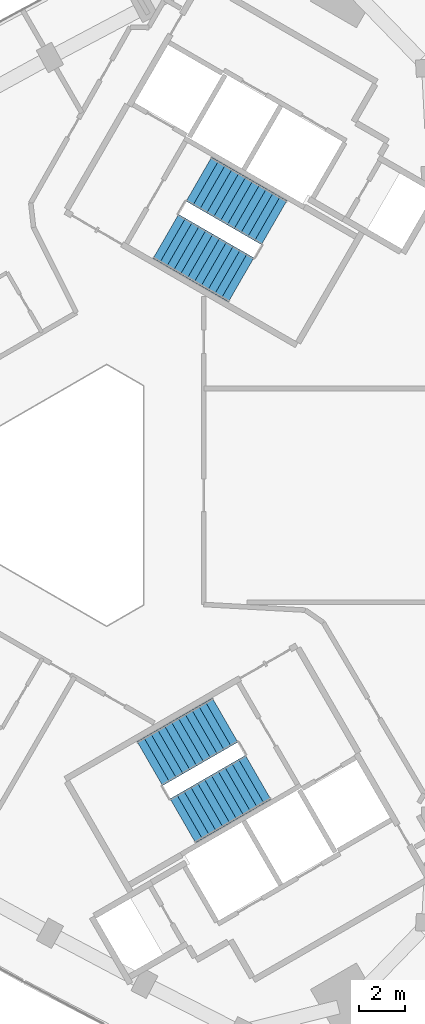
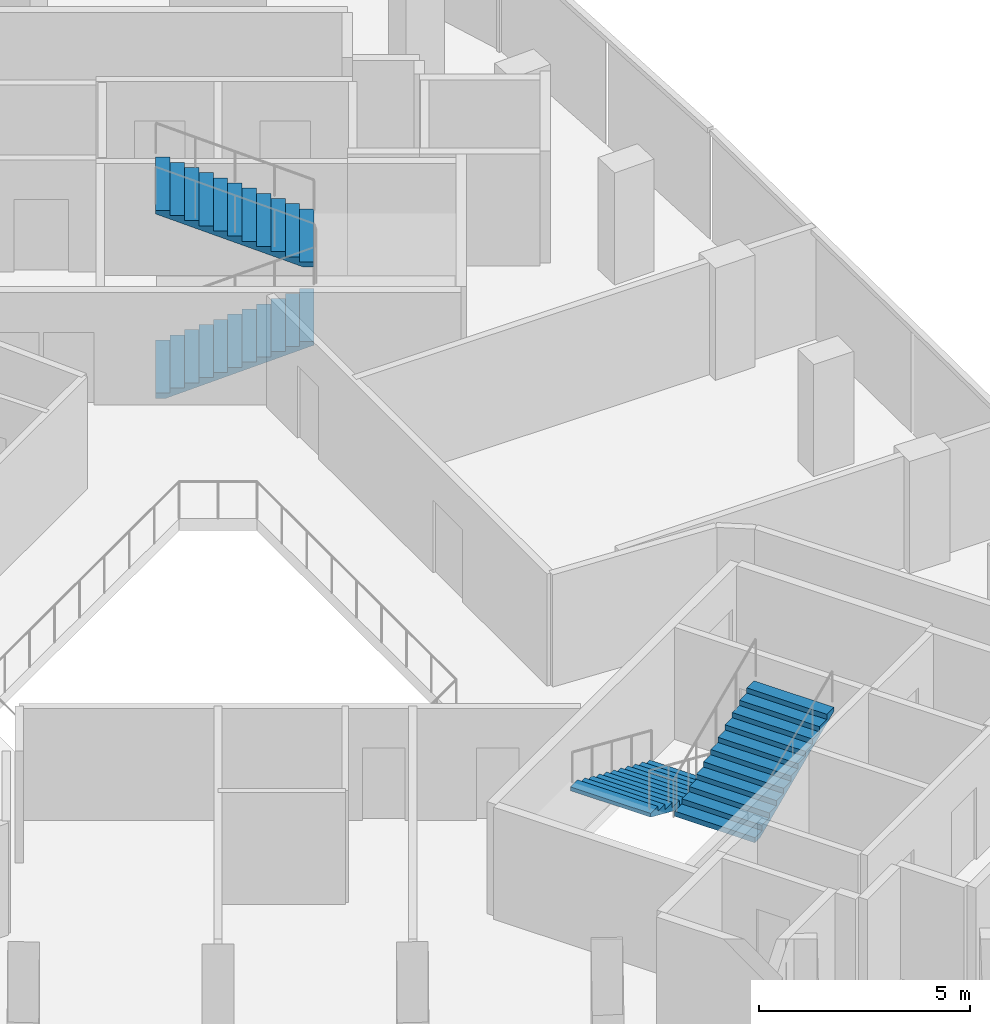
# One storey, part 10 of 11: 4 stair flights, 2 elements without a shape of their own.
"""IFC4 building model written with IfcOpenShell, lengths in metres."""

from ifc_helpers import new_model, si_unit, direction, frame, origin, place, context, subcontext, project, spatial, polyline, outline, extrude, material, type_object, element, aggregate, save


model = new_model("IFC4")

# Units and contexts
model_context = context("Model", 3, precision=1e-05, world=origin(), true_north=direction((0.0, 1.0)))
body_context = subcontext(model_context, "Body", "Model", "MODEL_VIEW")
ifc_project = project(units=[si_unit("LENGTHUNIT", "METRE"), si_unit("AREAUNIT", "SQUARE_METRE"), si_unit("VOLUMEUNIT", "CUBIC_METRE"), si_unit("PLANEANGLEUNIT", "RADIAN"), si_unit("MASSUNIT", "GRAM", prefix="KILO")], contexts=[model_context])

# Site, building, storey
site_placement = place(None, origin())
site = spatial("IfcSite", under=ifc_project, at=site_placement, CompositionType="ELEMENT")
building_placement = place(site_placement, origin())
building = spatial("IfcBuilding", under=site, at=building_placement, Name="Tamra Quay Hotel Tower", CompositionType="ELEMENT")
storey_placement = place(building_placement, frame((0.0, 0.0, 246.60009765625)))
storey = spatial("IfcBuildingStorey", under=building, at=storey_placement, Name="L62", CompositionType="ELEMENT", Elevation=246.60009765625)

# Stair, stair flights
ifc_material_1 = material(Name="Exit stair 2200 24 risers 150.0 going 342")
stair_type = type_object("IfcStairType", Name="Exit stair 2200 24 risers 150.0 going 342", PredefinedType="HALF_TURN_STAIR", material=ifc_material_1)
stair_1_placement = place(storey_placement, origin())
stair_1 = element("IfcStair", 1, at=stair_1_placement, inside=storey, type_object=stair_type, Name="L62 Exit stair ST1", PredefinedType="HALF_TURN_STAIR")
ifc_material_2 = material(Name="Exit stair flight 2200 12 risers 150.0")
stair_flight_type = type_object("IfcStairFlightType", Name="Exit stair flight 2200 12 risers 150.0", PredefinedType="STRAIGHT", material=ifc_material_2)
stair_flight_1_placement = place(storey_placement, frame((4.75927734375, 11.20361328125, 0.0), z_axis=(0.0, 0.0, 1.0), x_axis=(0.866025403784, -0.5, 0.0)))
stair_flight_1 = element("IfcStairFlight", 2, at=stair_flight_1_placement, type_object=stair_flight_type, Name="ST1 flight 1", NumberOfRisers=12, NumberOfTreads=11, PredefinedType="STRAIGHT", RiserHeight=0.15, TreadLength=0.342, context=body_context, shape_type="SweptSolid", body=[
    extrude(outline(polyline([(0.0, 0.0), (0.0, 0.14990234375), (0.342041015625, 0.14990234375), (0.342041015625, 0.300048828125), (0.68408203125, 0.300048828125), (0.68408203125, 0.449951171875), (1.02587890625, 0.449951171875), (1.02587890625, 0.60009765625), (1.367919921875, 0.60009765625), (1.367919921875, 0.75), (1.7099609375, 0.75), (1.7099609375, 0.89990234375), (2.052001953125, 0.89990234375), (2.052001953125, 1.050048828125), (2.39404296875, 1.050048828125), (2.39404296875, 1.199951171875), (2.736083984375, 1.199951171875), (2.736083984375, 1.35009765625), (3.077880859375, 1.35009765625), (3.077880859375, 1.5), (3.419921875, 1.5), (3.419921875, 1.64990234375), (3.761962890625, 1.64990234375), (3.761962890625, 1.800048828125), (3.761962890625, 1.540771484375), (0.249267578125, 0.0), (0.0, 0.0)])), frame((0.0, 1.10009765625, 0.0), z_axis=(0.0, -1.0, 0.0), x_axis=(1.0, 0.0, 0.0)), (0.0, 0.0, 1.0), 2.199951171875),
])
stair_flight_2_placement = place(storey_placement, frame((9.44677734375, 11.798583984375, 1.7998046875), z_axis=(0.0, 0.0, 1.0), x_axis=(-0.866025403784, 0.5, 0.0)))
stair_flight_2 = element("IfcStairFlight", 3, at=stair_flight_2_placement, type_object=stair_flight_type, Name="ST1 flight 2", NumberOfRisers=12, NumberOfTreads=11, PredefinedType="STRAIGHT", RiserHeight=0.15, TreadLength=0.342, context=body_context, shape_type="SweptSolid", body=[
    extrude(outline(polyline([(0.0, 0.0), (0.0, 0.14990234375), (0.342041015625, 0.14990234375), (0.342041015625, 0.300048828125), (0.68408203125, 0.300048828125), (0.68408203125, 0.449951171875), (1.02587890625, 0.449951171875), (1.02587890625, 0.60009765625), (1.367919921875, 0.60009765625), (1.367919921875, 0.75), (1.7099609375, 0.75), (1.7099609375, 0.89990234375), (2.052001953125, 0.89990234375), (2.052001953125, 1.050048828125), (2.39404296875, 1.050048828125), (2.39404296875, 1.199951171875), (2.736083984375, 1.199951171875), (2.736083984375, 1.35009765625), (3.077880859375, 1.35009765625), (3.077880859375, 1.5), (3.419921875, 1.5), (3.419921875, 1.64990234375), (3.761962890625, 1.64990234375), (3.761962890625, 1.800048828125), (3.761962890625, 1.540771484375), (0.249267578125, 0.0), (0.0, 0.0)])), frame((0.0, 1.10009765625, 0.0), z_axis=(0.0, -1.0, 0.0), x_axis=(1.0, 0.0, 0.0)), (0.0, 0.0, 1.0), 2.199951171875),
])
aggregate(stair_1, [stair_flight_1, stair_flight_2])

stair_2_placement = place(storey_placement, origin())
stair_2 = element("IfcStair", 4, at=stair_2_placement, inside=storey, type_object=stair_type, Name="L62 Exit stair ST2", PredefinedType="HALF_TURN_STAIR")
stair_flight_3_placement = place(storey_placement, frame((7.322998046875, -9.7236328125, 0.0), z_axis=(0.0, 0.0, 1.0), x_axis=(-0.866025403784, -0.5, 0.0)))
stair_flight_3 = element("IfcStairFlight", 5, at=stair_flight_3_placement, type_object=stair_flight_type, Name="ST2 flight 1", NumberOfRisers=12, NumberOfTreads=11, PredefinedType="STRAIGHT", RiserHeight=0.15, TreadLength=0.342, context=body_context, shape_type="SweptSolid", body=[
    extrude(outline(polyline([(0.0, 0.0), (0.0, 0.14990234375), (0.342041015625, 0.14990234375), (0.342041015625, 0.300048828125), (0.68408203125, 0.300048828125), (0.68408203125, 0.449951171875), (1.02587890625, 0.449951171875), (1.02587890625, 0.60009765625), (1.367919921875, 0.60009765625), (1.367919921875, 0.75), (1.7099609375, 0.75), (1.7099609375, 0.89990234375), (2.052001953125, 0.89990234375), (2.052001953125, 1.050048828125), (2.39404296875, 1.050048828125), (2.39404296875, 1.199951171875), (2.736083984375, 1.199951171875), (2.736083984375, 1.35009765625), (3.077880859375, 1.35009765625), (3.077880859375, 1.5), (3.419921875, 1.5), (3.419921875, 1.64990234375), (3.761962890625, 1.64990234375), (3.761962890625, 1.800048828125), (3.761962890625, 1.540771484375), (0.249267578125, 0.0), (0.0, 0.0)])), frame((0.0, 1.10009765625, 0.0), z_axis=(0.0, -1.0, 0.0), x_axis=(1.0, 0.0, 0.0)), (0.0, 0.0, 1.0), 2.199951171875),
])
stair_flight_4_placement = place(storey_placement, frame((5.494384765625, -14.08056640625, 1.7998046875), z_axis=(0.0, 0.0, 1.0), x_axis=(0.866025403784, 0.5, 0.0)))
stair_flight_4 = element("IfcStairFlight", 6, at=stair_flight_4_placement, type_object=stair_flight_type, Name="ST2 flight 2", NumberOfRisers=12, NumberOfTreads=11, PredefinedType="STRAIGHT", RiserHeight=0.15, TreadLength=0.342, context=body_context, shape_type="SweptSolid", body=[
    extrude(outline(polyline([(0.0, 0.0), (0.0, 0.14990234375), (0.342041015625, 0.14990234375), (0.342041015625, 0.300048828125), (0.68408203125, 0.300048828125), (0.68408203125, 0.449951171875), (1.02587890625, 0.449951171875), (1.02587890625, 0.60009765625), (1.367919921875, 0.60009765625), (1.367919921875, 0.75), (1.7099609375, 0.75), (1.7099609375, 0.89990234375), (2.052001953125, 0.89990234375), (2.052001953125, 1.050048828125), (2.39404296875, 1.050048828125), (2.39404296875, 1.199951171875), (2.736083984375, 1.199951171875), (2.736083984375, 1.35009765625), (3.077880859375, 1.35009765625), (3.077880859375, 1.5), (3.419921875, 1.5), (3.419921875, 1.64990234375), (3.761962890625, 1.64990234375), (3.761962890625, 1.800048828125), (3.761962890625, 1.540771484375), (0.249267578125, 0.0), (0.0, 0.0)])), frame((0.0, 1.10009765625, 0.0), z_axis=(0.0, -1.0, 0.0), x_axis=(1.0, 0.0, 0.0)), (0.0, 0.0, 1.0), 2.199951171875),
])
aggregate(stair_2, [stair_flight_3, stair_flight_4])

save(model, "model.ifc")
